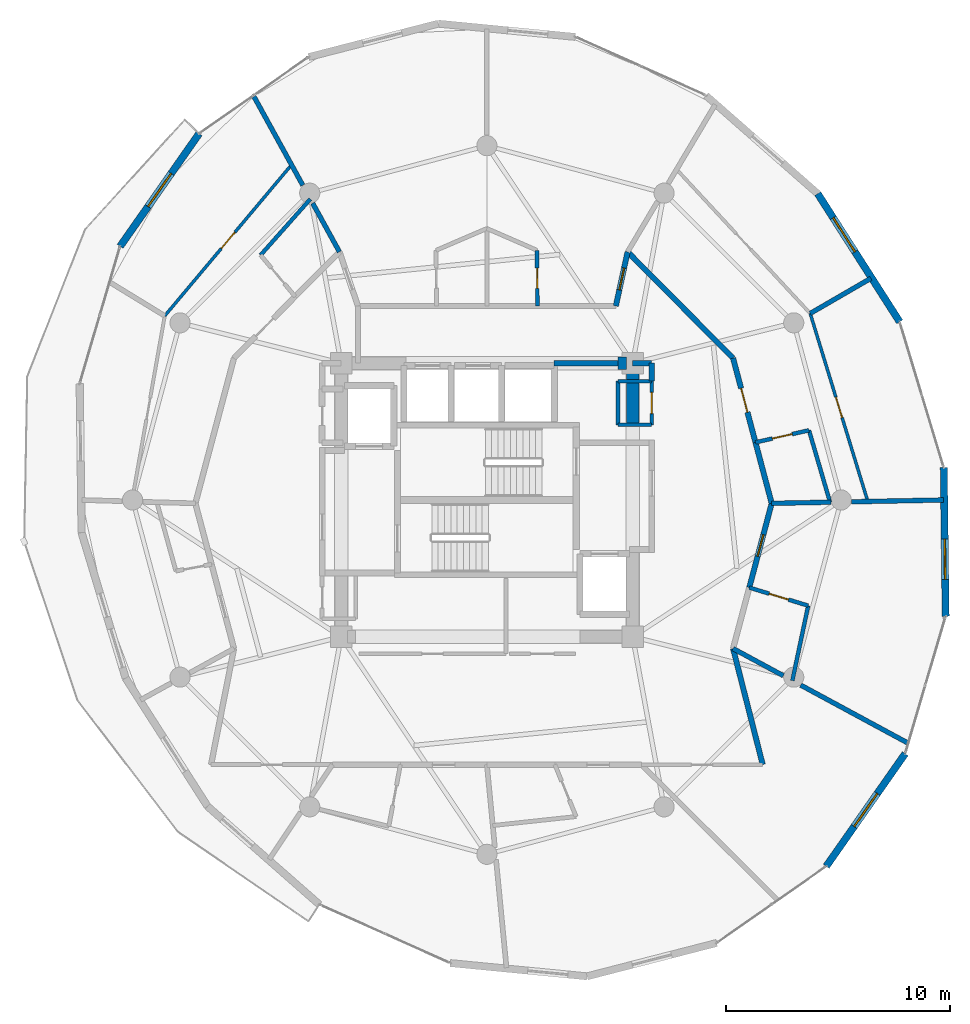
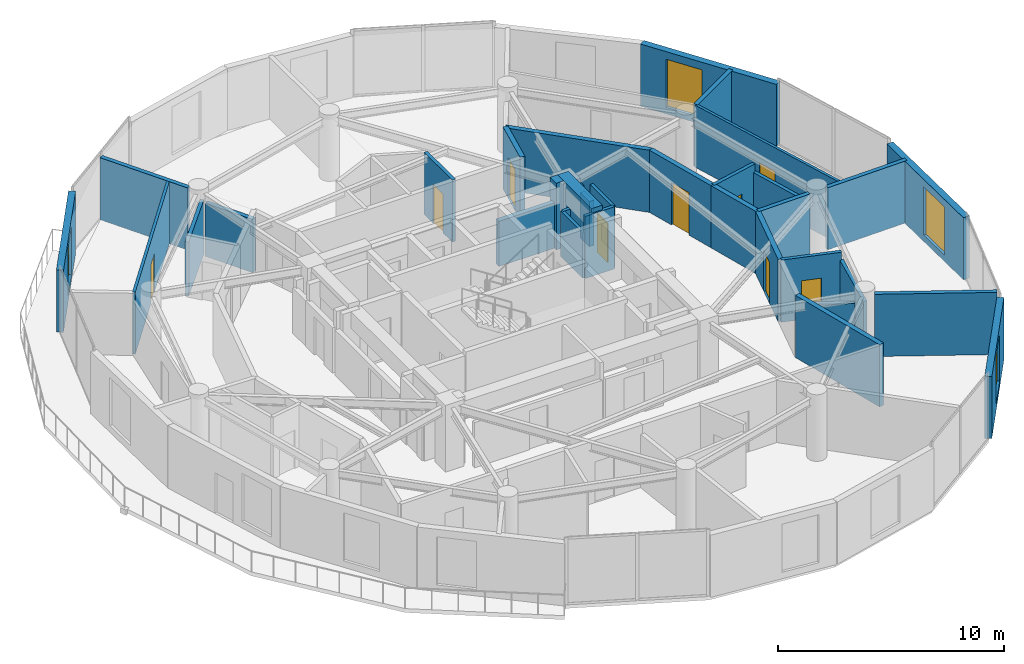
# One storey, part 18 of 21: 34 walls, 9 doors, 4 windows, 13 openings.
"""IFC4 building model written with IfcOpenShell, lengths in metres."""

from ifc_helpers import new_model, si_unit, direction, frame, frame_2d, origin, place, context, subcontext, project, spatial, rectangle, extrude, material, layer, layer_set, type_object, element, fill, save


model = new_model("IFC4")

# Units and contexts
model_context = context("Model", 3, precision=1e-05, world=origin(), true_north=direction((0.0, 1.0)))
body_context = subcontext(model_context, "Body", "Model", "MODEL_VIEW")
ifc_project = project(units=[si_unit("LENGTHUNIT", "METRE"), si_unit("AREAUNIT", "SQUARE_METRE"), si_unit("VOLUMEUNIT", "CUBIC_METRE"), si_unit("PLANEANGLEUNIT", "RADIAN"), si_unit("MASSUNIT", "GRAM", prefix="KILO")], contexts=[model_context])

# Site, building, storey
site_placement = place(None, origin())
site = spatial("IfcSite", under=ifc_project, at=site_placement, CompositionType="ELEMENT")
building_placement = place(site_placement, origin())
building = spatial("IfcBuilding", under=site, at=building_placement, Name="Solvirekh Grand Hotel", CompositionType="ELEMENT")
storey_placement = place(building_placement, frame((0.0, 0.0, 205.60009765625)))
storey = spatial("IfcBuildingStorey", under=building, at=storey_placement, Name="L53", CompositionType="ELEMENT", Elevation=205.60009765625)

# Walls
ifc_material_1 = material(Name="Concrete C50/60", Category="concrete")
ifc_layer_1 = layer(ifc_material_1, 0.550048828125)
ifc_layer_set_1 = layer_set([ifc_layer_1], Name="Concrete C50/60")
wall_type_1 = type_object("IfcWallType", Name="CoreWall_RC550", PredefinedType="SHEAR", material=ifc_layer_set_1)
wall_1_placement = place(storey_placement, frame((5.85009765625, 6.10009765625, 0.0), z_axis=(0.0, 0.0, 1.0), x_axis=(1.0, 0.0, 0.0)))
element("IfcWall", 1, at=wall_1_placement, inside=storey, type_object=wall_type_1, Name="L53 core corner shear wall NE-N", PredefinedType="SHEAR", context=body_context, shape_type="SweptSolid", body=[
    extrude(rectangle(XDim=0.375, YDim=0.550048828125, at=frame_2d((0.1875, 0.0))), origin(), (0.0, 0.0, 1.0), 3.599853515625),
])
wall_2_placement = place(storey_placement, frame((6.5, 3.35009765625, 0.0), z_axis=(0.0, 0.0, 1.0), x_axis=(0.0, 1.0, 0.0)))
element("IfcWall", 2, at=wall_2_placement, inside=storey, type_object=wall_type_1, Name="L53 core corner shear wall EN-E", PredefinedType="SHEAR", context=body_context, shape_type="SweptSolid", body=[
    extrude(rectangle(XDim=3.02490234375, YDim=0.550048828125, at=frame_2d((1.512451171875, 0.0))), origin(), (0.0, 0.0, 1.0), 3.599853515625),
])

# Wall, opening, window
ifc_material_2 = material(Name="Precast concrete C45/55", Category="concrete")
ifc_layer_2 = layer(ifc_material_2, 0.320068359375)
ifc_layer_set_2 = layer_set([ifc_layer_2], Name="Precast concrete C45/55")
wall_type_2 = type_object("IfcWallType", Name="ExtLobbyWall_RC320", PredefinedType="SOLIDWALL", material=ifc_layer_set_2)
wall_3_placement = place(storey_placement, frame((18.653076171875, -11.31298828125, 0.0), z_axis=(0.0, 0.0, 1.0), x_axis=(-0.573863076695, -0.818951261802, 0.0)))
wall_3 = element("IfcWall", 3, at=wall_3_placement, inside=storey, type_object=wall_type_2, Name="L53 exterior structural wall chord 2", PredefinedType="SOLIDWALL", context=body_context, shape_type="SweptSolid", body=[
    extrude(rectangle(XDim=6.132080078125, YDim=0.320068359375, at=frame_2d((3.06591796875, 0.0))), origin(), (0.0, 0.0, 1.0), 3.35986328125),
])
opening_1_placement = place(wall_3_placement, frame((2.166015625, 0.0, 0.35009765625)))
opening_1 = element("IfcOpeningElement", 4, at=opening_1_placement, cuts=wall_3, Name="Opening W02", PredefinedType="OPENING", context=body_context, shape_type="SweptSolid", body=[
    extrude(rectangle(XDim=1.800048828125, YDim=2.60009765625, at=frame_2d((0.89990234375, 1.300048828125))), frame((0.0, 0.169921875, 0.0), z_axis=(0.0, -1.0, 0.0), x_axis=(1.0, 0.0, 0.0)), (0.0, 0.0, 1.0), 0.340087890625),
])
ifc_material_3 = material(Name="Low-E Tinted Bronze Laminated Glass", Category="aluminium")
window_type = type_object("IfcWindowType", Name="Win_LobbyExt_1800X2600", PartitioningType="SINGLE_PANEL", PredefinedType="WINDOW", material=ifc_material_3)
window_1_placement = place(opening_1_placement, origin())
window_1 = element("IfcWindow", 5, at=window_1_placement, inside=storey, type_object=window_type, Name="L53 panoramic bronze-framed window 2", OverallHeight=2.60009765625, OverallWidth=1.800048828125, PartitioningType="SINGLE_PANEL", PredefinedType="WINDOW", context=body_context, shape_type="SweptSolid", body=[
    extrude(rectangle(XDim=1.800048828125, YDim=2.60009765625, at=frame_2d((0.89990234375, 1.300048828125))), frame((0.0, 0.030029296875, 0.0), z_axis=(0.0, -1.0, 0.0), x_axis=(1.0, 0.0, 0.0)), (0.0, 0.0, 1.0), 0.06005859375),
])
fill(opening_1, window_1)

wall_4_placement = place(storey_placement, frame((20.375, 1.450927734375, 0.0), z_axis=(0.0, 0.0, 1.0), x_axis=(0.012654885904, -0.999919923725, 0.0)))
wall_4 = element("IfcWall", 6, at=wall_4_placement, inside=storey, type_object=wall_type_2, Name="L53 exterior structural wall chord 4", PredefinedType="SOLIDWALL", context=body_context, shape_type="SweptSolid", body=[
    extrude(rectangle(XDim=6.636474609375, YDim=0.320068359375, at=frame_2d((3.318359375, 0.0))), origin(), (0.0, 0.0, 1.0), 3.35986328125),
])
opening_2_placement = place(wall_4_placement, frame((3.194091796875, 0.0, 0.35009765625)))
opening_2 = element("IfcOpeningElement", 7, at=opening_2_placement, cuts=wall_4, Name="Opening W02", PredefinedType="OPENING", context=body_context, shape_type="SweptSolid", body=[
    extrude(rectangle(XDim=1.800048828125, YDim=2.60009765625, at=frame_2d((0.89990234375, 1.300048828125))), frame((0.0, 0.169921875, 0.0), z_axis=(0.0, -1.0, 0.0), x_axis=(1.0, 0.0, 0.0)), (0.0, 0.0, 1.0), 0.340087890625),
])
window_2_placement = place(opening_2_placement, origin())
window_2 = element("IfcWindow", 8, at=window_2_placement, inside=storey, type_object=window_type, Name="L53 panoramic bronze-framed window 4", OverallHeight=2.60009765625, OverallWidth=1.800048828125, PartitioningType="SINGLE_PANEL", PredefinedType="WINDOW", context=body_context, shape_type="SweptSolid", body=[
    extrude(rectangle(XDim=1.800048828125, YDim=2.60009765625, at=frame_2d((0.89990234375, 1.300048828125))), frame((0.0, 0.030029296875, 0.0), z_axis=(0.0, -1.0, 0.0), x_axis=(1.0, 0.0, 0.0)), (0.0, 0.0, 1.0), 0.06005859375),
])
fill(opening_2, window_2)

wall_5_placement = place(storey_placement, frame((14.75390625, 13.662109375, 0.0), z_axis=(0.0, 0.0, 1.0), x_axis=(0.538648303683, -0.842530714538, 0.0)))
wall_5 = element("IfcWall", 9, at=wall_5_placement, inside=storey, type_object=wall_type_2, Name="L53 exterior structural wall chord 6", PredefinedType="SOLIDWALL", context=body_context, shape_type="SweptSolid", body=[
    extrude(rectangle(XDim=6.78564453125, YDim=0.320068359375, at=frame_2d((3.392822265625, 0.0))), origin(), (0.0, 0.0, 1.0), 3.35986328125),
])
opening_3_placement = place(wall_5_placement, frame((1.279052734375, 0.0, 0.35009765625)))
opening_3 = element("IfcOpeningElement", 10, at=opening_3_placement, cuts=wall_5, Name="Opening W02", PredefinedType="OPENING", context=body_context, shape_type="SweptSolid", body=[
    extrude(rectangle(XDim=1.800048828125, YDim=2.60009765625, at=frame_2d((0.89990234375, 1.300048828125))), frame((0.0, 0.169921875, 0.0), z_axis=(0.0, -1.0, 0.0), x_axis=(1.0, 0.0, 0.0)), (0.0, 0.0, 1.0), 0.340087890625),
])
window_3_placement = place(opening_3_placement, origin())
window_3 = element("IfcWindow", 11, at=window_3_placement, inside=storey, type_object=window_type, Name="L53 panoramic bronze-framed window 6", OverallHeight=2.60009765625, OverallWidth=1.800048828125, PartitioningType="SINGLE_PANEL", PredefinedType="WINDOW", context=body_context, shape_type="SweptSolid", body=[
    extrude(rectangle(XDim=1.800048828125, YDim=2.60009765625, at=frame_2d((0.89990234375, 1.300048828125))), frame((0.0, 0.030029296875, 0.0), z_axis=(0.0, -1.0, 0.0), x_axis=(1.0, 0.0, 0.0)), (0.0, 0.0, 1.0), 0.06005859375),
])
fill(opening_3, window_3)

wall_6_placement = place(storey_placement, frame((-16.35302734375, 11.31298828125, 0.0), z_axis=(0.0, 0.0, 1.0), x_axis=(0.573863076695, 0.818951261802, 0.0)))
wall_6 = element("IfcWall", 12, at=wall_6_placement, inside=storey, type_object=wall_type_2, Name="L53 exterior structural wall chord 12", PredefinedType="SOLIDWALL", context=body_context, shape_type="SweptSolid", body=[
    extrude(rectangle(XDim=6.132080078125, YDim=0.320068359375, at=frame_2d((3.06591796875, 0.0))), origin(), (0.0, 0.0, 1.0), 3.35986328125),
])
opening_4_placement = place(wall_6_placement, frame((2.166015625, 0.0, 0.35009765625)))
opening_4 = element("IfcOpeningElement", 13, at=opening_4_placement, cuts=wall_6, Name="Opening W02", PredefinedType="OPENING", context=body_context, shape_type="SweptSolid", body=[
    extrude(rectangle(XDim=1.800048828125, YDim=2.60009765625, at=frame_2d((0.89990234375, 1.300048828125))), frame((0.0, 0.169921875, 0.0), z_axis=(0.0, -1.0, 0.0), x_axis=(1.0, 0.0, 0.0)), (0.0, 0.0, 1.0), 0.340087890625),
])
window_4_placement = place(opening_4_placement, origin())
window_4 = element("IfcWindow", 14, at=window_4_placement, inside=storey, type_object=window_type, Name="L53 panoramic bronze-framed window 12", OverallHeight=2.60009765625, OverallWidth=1.800048828125, PartitioningType="SINGLE_PANEL", PredefinedType="WINDOW", context=body_context, shape_type="SweptSolid", body=[
    extrude(rectangle(XDim=1.800048828125, YDim=2.60009765625, at=frame_2d((0.89990234375, 1.300048828125))), frame((0.0, 0.030029296875, 0.0), z_axis=(0.0, -1.0, 0.0), x_axis=(1.0, 0.0, 0.0)), (0.0, 0.0, 1.0), 0.06005859375),
])
fill(opening_4, window_4)

# Wall
ifc_material_4 = material(Name="Acoustic Gypsum Partition Assembly")
ifc_layer_3 = layer(ifc_material_4, 0.1650390625)
ifc_layer_set_3 = layer_set([ifc_layer_3], Name="Acoustic Gypsum Partition Assembly")
wall_type_3 = type_object("IfcWallType", Name="Part_BOH_165", PredefinedType="PARTITIONING", material=ifc_layer_set_3)
wall_7_placement = place(storey_placement, frame((5.85009765625, 3.35009765625, 0.0), z_axis=(0.0, 0.0, 1.0), x_axis=(1.0, 0.0, 0.0)))
element("IfcWall", 15, at=wall_7_placement, inside=storey, type_object=wall_type_3, Name="L53 L53 Core Housekeeping Room wall 1", PredefinedType="PARTITIONING", context=body_context, shape_type="SweptSolid", body=[
    extrude(rectangle(XDim=1.5, YDim=0.1650390625, at=frame_2d((0.75, 0.0))), origin(), (0.0, 0.0, 1.0), 3.35986328125),
])

# Wall, opening, door
wall_8_placement = place(storey_placement, frame((7.35009765625, 3.35009765625, 0.0), z_axis=(0.0, 0.0, 1.0), x_axis=(0.0, 1.0, 0.0)))
wall_8 = element("IfcWall", 16, at=wall_8_placement, inside=storey, type_object=wall_type_3, Name="L53 L53 Core Housekeeping Room wall 2", PredefinedType="PARTITIONING", context=body_context, shape_type="SweptSolid", body=[
    extrude(rectangle(XDim=1.949951171875, YDim=0.1650390625, at=frame_2d((0.97509765625, 0.0))), origin(), (0.0, 0.0, 1.0), 3.35986328125),
])
opening_5_placement = place(wall_8_placement, frame((0.5, 0.0, 0.0)))
opening_5 = element("IfcOpeningElement", 17, at=opening_5_placement, cuts=wall_8, Name="Opening D10", PredefinedType="OPENING", context=body_context, shape_type="SweptSolid", body=[
    extrude(rectangle(XDim=0.949951171875, YDim=2.10009765625, at=frame_2d((0.47509765625, 1.050048828125))), frame((0.0, 0.092529296875, 0.0), z_axis=(0.0, -1.0, 0.0), x_axis=(1.0, 0.0, 0.0)), (0.0, 0.0, 1.0), 0.18505859375),
])
ifc_material_5 = material(Name="Anodized Bronze Aluminium 6063-T6", Category="aluminium")
door_type_1 = type_object("IfcDoorType", Name="Door_RoomInt_950X2100", OperationType="NOTDEFINED", PredefinedType="DOOR", material=ifc_material_5)
door_1_placement = place(opening_5_placement, origin())
door_1 = element("IfcDoor", 18, at=door_1_placement, inside=storey, type_object=door_type_1, Name="L53 L53 Core Housekeeping Room door", OperationType="SINGLE_SWING_RIGHT", OverallHeight=2.10009765625, OverallWidth=0.949951171875, PredefinedType="DOOR", context=body_context, shape_type="SweptSolid", body=[
    extrude(rectangle(XDim=0.949951171875, YDim=2.10009765625, at=frame_2d((0.47509765625, 1.050048828125))), frame((0.0, 0.02490234375, 0.0), z_axis=(0.0, -1.0, 0.0), x_axis=(1.0, 0.0, 0.0)), (0.0, 0.0, 1.0), 0.050048828125),
])
fill(opening_5, door_1)

# Walls
wall_9_placement = place(storey_placement, frame((7.35009765625, 5.300048828125, 0.0), z_axis=(0.0, 0.0, 1.0), x_axis=(-1.0, 0.0, 0.0)))
element("IfcWall", 19, at=wall_9_placement, inside=storey, type_object=wall_type_3, Name="L53 L53 Core Housekeeping Room wall 3", PredefinedType="PARTITIONING", context=body_context, shape_type="SweptSolid", body=[
    extrude(rectangle(XDim=1.5, YDim=0.1650390625, at=frame_2d((0.75, 0.0))), origin(), (0.0, 0.0, 1.0), 2.44482421875),
])
wall_10_placement = place(storey_placement, frame((5.85009765625, 5.300048828125, 0.0), z_axis=(0.0, 0.0, 1.0), x_axis=(0.0, -1.0, 0.0)))
element("IfcWall", 20, at=wall_10_placement, inside=storey, type_object=wall_type_3, Name="L53 L53 Core Housekeeping Room wall 4", PredefinedType="PARTITIONING", context=body_context, shape_type="SweptSolid", body=[
    extrude(rectangle(XDim=1.949951171875, YDim=0.1650390625, at=frame_2d((0.97509765625, 0.0))), origin(), (0.0, 0.0, 1.0), 2.44482421875),
])
ifc_layer_4 = layer(ifc_material_4, 0.239990234375)
ifc_layer_set_4 = layer_set([ifc_layer_4], Name="Acoustic Gypsum Partition Assembly")
wall_type_4 = type_object("IfcWallType", Name="Part_Corridor_240", PredefinedType="PARTITIONING", material=ifc_layer_set_4)
wall_11_placement = place(storey_placement, frame((3.0, 6.10009765625, 0.0), z_axis=(0.0, 0.0, 1.0), x_axis=(1.0, 0.0, 0.0)))
element("IfcWall", 21, at=wall_11_placement, inside=storey, type_object=wall_type_4, Name="L53 north core shaft infill wall", PredefinedType="PARTITIONING", context=body_context, shape_type="SweptSolid", body=[
    extrude(rectangle(XDim=2.85009765625, YDim=0.239990234375, at=frame_2d((1.425048828125, 0.0))), origin(), (0.0, 0.0, 1.0), 2.44482421875),
])
wall_12_placement = place(storey_placement, frame((7.35009765625, 5.300048828125, 0.0), z_axis=(0.0, 0.0, 1.0), x_axis=(0.0, 1.0, 0.0)))
element("IfcWall", 22, at=wall_12_placement, inside=storey, type_object=wall_type_4, Name="L53 NE core cheek closure wall", PredefinedType="PARTITIONING", context=body_context, shape_type="SweptSolid", body=[
    extrude(rectangle(XDim=0.800048828125, YDim=0.239990234375, at=frame_2d((0.39990234375, 0.0))), origin(), (0.0, 0.0, 1.0), 2.44482421875),
])
wall_13_placement = place(storey_placement, frame((6.5, 6.10009765625, 0.0), z_axis=(0.0, 0.0, 1.0), x_axis=(1.0, 0.0, 0.0)))
element("IfcWall", 23, at=wall_13_placement, inside=storey, type_object=wall_type_4, Name="L53 NE core corner tie wall", PredefinedType="PARTITIONING", context=body_context, shape_type="SweptSolid", body=[
    extrude(rectangle(XDim=0.85009765625, YDim=0.239990234375, at=frame_2d((0.425048828125, 0.0))), origin(), (0.0, 0.0, 1.0), 2.876953125),
])

# Wall, opening, door
wall_14_placement = place(storey_placement, frame((5.75, 8.64990234375, 0.0), z_axis=(0.0, 0.0, 1.0), x_axis=(0.212388632151, 0.977185278713, 0.0)))
wall_14 = element("IfcWall", 24, at=wall_14_placement, inside=storey, type_object=wall_type_4, Name="L53 Deluxe Guestroom 5501 entrance wall", PredefinedType="PARTITIONING", context=body_context, shape_type="SweptSolid", body=[
    extrude(rectangle(XDim=2.471435546875, YDim=0.239990234375, at=frame_2d((1.23583984375, 0.0))), origin(), (0.0, 0.0, 1.0), 3.35986328125),
])
opening_6_placement = place(wall_14_placement, frame((0.736083984375, 0.0, 0.0)))
opening_6 = element("IfcOpeningElement", 25, at=opening_6_placement, cuts=wall_14, Name="Opening D07", PredefinedType="OPENING", context=body_context, shape_type="SweptSolid", body=[
    extrude(rectangle(XDim=1.0, YDim=2.199951171875, at=frame_2d((0.5, 1.10009765625))), frame((0.0, 0.1298828125, 0.0), z_axis=(0.0, -1.0, 0.0), x_axis=(1.0, 0.0, 0.0)), (0.0, 0.0, 1.0), 0.260009765625),
])
ifc_material_6 = material(Name="Fire-Rated Steel Door Assembly", Category="steel")
door_type_2 = type_object("IfcDoorType", Name="Door_GuestEntry_1000X2200", OperationType="NOTDEFINED", PredefinedType="DOOR", material=ifc_material_6)
door_2_placement = place(opening_6_placement, origin())
door_2 = element("IfcDoor", 26, at=door_2_placement, inside=storey, type_object=door_type_2, Name="L53 Deluxe Guestroom 5501 entrance door", OperationType="SINGLE_SWING_RIGHT", OverallHeight=2.199951171875, OverallWidth=1.0, PredefinedType="DOOR", context=body_context, shape_type="SweptSolid", body=[
    extrude(rectangle(XDim=1.0, YDim=2.199951171875, at=frame_2d((0.5, 1.10009765625))), frame((0.0, 0.02490234375, 0.0), z_axis=(0.0, -1.0, 0.0), x_axis=(1.0, 0.0, 0.0)), (0.0, 0.0, 1.0), 0.050048828125),
])
fill(opening_6, door_2)

wall_15_placement = place(storey_placement, frame((11.700927734375, -3.906005859375, 0.0), z_axis=(0.0, 0.0, 1.0), x_axis=(0.257037057674, 0.966401547486, 0.0)))
wall_15 = element("IfcWall", 27, at=wall_15_placement, inside=storey, type_object=wall_type_4, Name="L53 Deluxe Guestroom 5505 entrance wall", PredefinedType="PARTITIONING", context=body_context, shape_type="SweptSolid", body=[
    extrude(rectangle(XDim=3.88671875, YDim=0.239990234375, at=frame_2d((1.943359375, 0.0))), origin(), (0.0, 0.0, 1.0), 3.35986328125),
])
opening_7_placement = place(wall_15_placement, frame((1.443115234375, 0.0, 0.0)))
opening_7 = element("IfcOpeningElement", 28, at=opening_7_placement, cuts=wall_15, Name="Opening D07", PredefinedType="OPENING", context=body_context, shape_type="SweptSolid", body=[
    extrude(rectangle(XDim=1.0, YDim=2.199951171875, at=frame_2d((0.5, 1.10009765625))), frame((0.0, 0.1298828125, 0.0), z_axis=(0.0, -1.0, 0.0), x_axis=(1.0, 0.0, 0.0)), (0.0, 0.0, 1.0), 0.260009765625),
])
door_3_placement = place(opening_7_placement, origin())
door_3 = element("IfcDoor", 29, at=door_3_placement, inside=storey, type_object=door_type_2, Name="L53 Deluxe Guestroom 5505 entrance door", OperationType="SINGLE_SWING_RIGHT", OverallHeight=2.199951171875, OverallWidth=1.0, PredefinedType="DOOR", context=body_context, shape_type="SweptSolid", body=[
    extrude(rectangle(XDim=1.0, YDim=2.199951171875, at=frame_2d((0.5, 1.10009765625))), frame((0.0, 0.02490234375, 0.0), z_axis=(0.0, -1.0, 0.0), x_axis=(1.0, 0.0, 0.0)), (0.0, 0.0, 1.0), 0.050048828125),
])
fill(opening_7, door_3)

# Walls
wall_16_placement = place(storey_placement, frame((12.699951171875, -0.14990234375, 0.0), z_axis=(0.0, 0.0, 1.0), x_axis=(-0.256858081143, 0.966449132729, 0.0)))
element("IfcWall", 30, at=wall_16_placement, inside=storey, type_object=wall_type_4, Name="L53 En-suite Bathroom 5506 corridor backing wall", PredefinedType="PARTITIONING", context=body_context, shape_type="SweptSolid", body=[
    extrude(rectangle(XDim=2.814453125, YDim=0.239990234375, at=frame_2d((1.4072265625, 0.0))), origin(), (0.0, 0.0, 1.0), 3.35986328125),
])
wall_17_placement = place(storey_placement, frame((10.97802734375, 6.324951171875, 0.0), z_axis=(0.0, 0.0, 1.0), x_axis=(-0.704340920508, 0.709861865223, 0.0)))
element("IfcWall", 31, at=wall_17_placement, inside=storey, type_object=wall_type_4, Name="L53 Executive Suite 5506 Living Room corridor wall 1", PredefinedType="PARTITIONING", context=body_context, shape_type="SweptSolid", body=[
    extrude(rectangle(XDim=6.67724609375, YDim=0.239990234375, at=frame_2d((3.338623046875, 0.0))), origin(), (0.0, 0.0, 1.0), 3.35986328125),
])

# Wall, opening, door
wall_18_placement = place(storey_placement, frame((11.97705078125, 2.570068359375, 0.0), z_axis=(0.0, 0.0, 1.0), x_axis=(-0.257115096486, 0.966380787867, 0.0)))
wall_18 = element("IfcWall", 32, at=wall_18_placement, inside=storey, type_object=wall_type_4, Name="L53 Executive Suite 5506 Living Room entrance wall", PredefinedType="PARTITIONING", context=body_context, shape_type="SweptSolid", body=[
    extrude(rectangle(XDim=3.885498046875, YDim=0.239990234375, at=frame_2d((1.94287109375, 0.0))), origin(), (0.0, 0.0, 1.0), 3.35986328125),
])
opening_8_placement = place(wall_18_placement, frame((1.39306640625, 0.0, 0.0)))
opening_8 = element("IfcOpeningElement", 33, at=opening_8_placement, cuts=wall_18, Name="Opening D08", PredefinedType="OPENING", context=body_context, shape_type="SweptSolid", body=[
    extrude(rectangle(XDim=1.10009765625, YDim=2.300048828125, at=frame_2d((0.550048828125, 1.14990234375))), frame((0.0, 0.1298828125, 0.0), z_axis=(0.0, -1.0, 0.0), x_axis=(1.0, 0.0, 0.0)), (0.0, 0.0, 1.0), 0.260009765625),
])
door_type_3 = type_object("IfcDoorType", Name="Door_SuiteEntry_1100X2300", OperationType="NOTDEFINED", PredefinedType="DOOR", material=ifc_material_6)
door_4_placement = place(opening_8_placement, origin())
door_4 = element("IfcDoor", 34, at=door_4_placement, inside=storey, type_object=door_type_3, Name="L53 Executive Suite 5506 Living Room entrance door", OperationType="SINGLE_SWING_RIGHT", OverallHeight=2.300048828125, OverallWidth=1.10009765625, PredefinedType="DOOR", context=body_context, shape_type="SweptSolid", body=[
    extrude(rectangle(XDim=1.10009765625, YDim=2.300048828125, at=frame_2d((0.550048828125, 1.14990234375))), frame((0.0, 0.02490234375, 0.0), z_axis=(0.0, -1.0, 0.0), x_axis=(1.0, 0.0, 0.0)), (0.0, 0.0, 1.0), 0.050048828125),
])
fill(opening_8, door_4)

# Wall
wall_19_placement = place(storey_placement, frame((12.300048828125, -11.800048828125, 0.0), z_axis=(0.0, 0.0, 1.0), x_axis=(-0.247511976945, 0.968884833852, 0.0)))
element("IfcWall", 35, at=wall_19_placement, inside=storey, type_object=wall_type_4, Name="L53 L53 Butler Valet & Linen Steward Room corridor wall 1", PredefinedType="PARTITIONING", context=body_context, shape_type="SweptSolid", body=[
    extrude(rectangle(XDim=5.34130859375, YDim=0.239990234375, at=frame_2d((2.670654296875, 0.0))), origin(), (0.0, 0.0, 1.0), 3.35986328125),
])

# Wall, opening, door
ifc_layer_5 = layer(ifc_material_4, 0.135009765625)
ifc_layer_set_5 = layer_set([ifc_layer_5], Name="Acoustic Gypsum Partition Assembly")
wall_type_5 = type_object("IfcWallType", Name="Part_RoomInt_135", PredefinedType="PARTITIONING", material=ifc_layer_set_5)
wall_20_placement = place(storey_placement, frame((-8.7119140625, 14.947021484375, 0.0), z_axis=(0.0, 0.0, 1.0), x_axis=(-0.642897719882, -0.765952036208, 0.0)))
wall_20 = element("IfcWall", 36, at=wall_20_placement, inside=storey, type_object=wall_type_5, Name="L53 Executive Suite 5503 Living Room bedroom screen wall", PredefinedType="PARTITIONING", context=body_context, shape_type="SweptSolid", body=[
    extrude(rectangle(XDim=8.793212890625, YDim=0.135009765625, at=frame_2d((4.396484375, 0.0))), origin(), (0.0, 0.0, 1.0), 3.35986328125),
])
opening_9_placement = place(wall_20_placement, frame((3.9208984375, 0.0, 0.0)))
opening_9 = element("IfcOpeningElement", 37, at=opening_9_placement, cuts=wall_20, Name="Opening D10", PredefinedType="OPENING", context=body_context, shape_type="SweptSolid", body=[
    extrude(rectangle(XDim=0.949951171875, YDim=2.10009765625, at=frame_2d((0.47509765625, 1.050048828125))), frame((0.0, 0.07763671875, 0.0), z_axis=(0.0, -1.0, 0.0), x_axis=(1.0, 0.0, 0.0)), (0.0, 0.0, 1.0), 0.155029296875),
])
door_5_placement = place(opening_9_placement, origin())
door_5 = element("IfcDoor", 38, at=door_5_placement, inside=storey, type_object=door_type_1, Name="L53 Executive Suite 5503 Living Room master bedroom door", OperationType="SINGLE_SWING_LEFT", OverallHeight=2.10009765625, OverallWidth=0.949951171875, PredefinedType="DOOR", context=body_context, shape_type="SweptSolid", body=[
    extrude(rectangle(XDim=0.949951171875, YDim=2.10009765625, at=frame_2d((0.47509765625, 1.050048828125))), frame((0.0, 0.02490234375, 0.0), z_axis=(0.0, -1.0, 0.0), x_axis=(1.0, 0.0, 0.0)), (0.0, 0.0, 1.0), 0.050048828125),
])
fill(opening_9, door_5)

wall_21_placement = place(storey_placement, frame((16.986083984375, -0.06591796875, 0.0), z_axis=(0.0, 0.0, 1.0), x_axis=(-0.292847255907, 0.956159236062, 0.0)))
wall_21 = element("IfcWall", 39, at=wall_21_placement, inside=storey, type_object=wall_type_5, Name="L53 Executive Suite 5506 Living Room bedroom screen wall", PredefinedType="PARTITIONING", context=body_context, shape_type="SweptSolid", body=[
    extrude(rectangle(XDim=8.76953125, YDim=0.135009765625, at=frame_2d((4.384765625, 0.0))), origin(), (0.0, 0.0, 1.0), 3.35986328125),
])
opening_10_placement = place(wall_21_placement, frame((3.909912109375, 0.0, 0.0)))
opening_10 = element("IfcOpeningElement", 40, at=opening_10_placement, cuts=wall_21, Name="Opening D10", PredefinedType="OPENING", context=body_context, shape_type="SweptSolid", body=[
    extrude(rectangle(XDim=0.949951171875, YDim=2.10009765625, at=frame_2d((0.47509765625, 1.050048828125))), frame((0.0, 0.07763671875, 0.0), z_axis=(0.0, -1.0, 0.0), x_axis=(1.0, 0.0, 0.0)), (0.0, 0.0, 1.0), 0.155029296875),
])
door_6_placement = place(opening_10_placement, origin())
door_6 = element("IfcDoor", 41, at=door_6_placement, inside=storey, type_object=door_type_1, Name="L53 Executive Suite 5506 Living Room master bedroom door", OperationType="SINGLE_SWING_LEFT", OverallHeight=2.10009765625, OverallWidth=0.949951171875, PredefinedType="DOOR", context=body_context, shape_type="SweptSolid", body=[
    extrude(rectangle(XDim=0.949951171875, YDim=2.10009765625, at=frame_2d((0.47509765625, 1.050048828125))), frame((0.0, 0.02490234375, 0.0), z_axis=(0.0, -1.0, 0.0), x_axis=(1.0, 0.0, 0.0)), (0.0, 0.0, 1.0), 0.050048828125),
])
fill(opening_10, door_6)

# Walls
ifc_layer_6 = layer(ifc_material_4, 0.2099609375)
ifc_layer_set_6 = layer_set([ifc_layer_6], Name="Acoustic Gypsum Partition Assembly")
wall_type_6 = type_object("IfcWallType", Name="Part_SuiteDemise_210", PredefinedType="PARTITIONING", material=ifc_layer_set_6)
wall_22_placement = place(storey_placement, frame((12.699951171875, -0.14990234375, 0.0), z_axis=(0.0, 0.0, 1.0), x_axis=(0.999806076636, 0.019692869828, 0.0)))
element("IfcWall", 42, at=wall_22_placement, inside=storey, type_object=wall_type_6, Name="L53 suite radial wall 1 (A)", PredefinedType="PARTITIONING", context=body_context, shape_type="SweptSolid", body=[
    extrude(rectangle(XDim=2.640625, YDim=0.2099609375, at=frame_2d((1.3203125, 0.0))), origin(), (0.0, 0.0, 1.0), 3.35986328125),
])
wall_23_placement = place(storey_placement, frame((16.262939453125, -0.080078125, 0.0), z_axis=(0.0, 0.0, 1.0), x_axis=(0.999808394628, 0.019574831579, 0.0)))
element("IfcWall", 43, at=wall_23_placement, inside=storey, type_object=wall_type_6, Name="L53 suite radial wall 1 (B)", PredefinedType="PARTITIONING", context=body_context, shape_type="SweptSolid", body=[
    extrude(rectangle(XDim=4.0908203125, YDim=0.2099609375, at=frame_2d((2.04541015625, 0.0))), origin(), (0.0, 0.0, 1.0), 3.35986328125),
])
wall_24_placement = place(storey_placement, frame((-6.574951171875, 11.06494140625, 0.0), z_axis=(0.0, 0.0, 1.0), x_axis=(-0.482312715348, 0.875999112222, 0.0)))
element("IfcWall", 44, at=wall_24_placement, inside=storey, type_object=wall_type_6, Name="L53 suite radial wall 5 (A)", PredefinedType="PARTITIONING", context=body_context, shape_type="SweptSolid", body=[
    extrude(rectangle(XDim=2.4736328125, YDim=0.2099609375, at=frame_2d((1.23681640625, 0.0))), origin(), (0.0, 0.0, 1.0), 2.876953125),
])
wall_25_placement = place(storey_placement, frame((-8.2099609375, 14.035888671875, 0.0), z_axis=(0.0, 0.0, 1.0), x_axis=(-0.482343563711, 0.875982126842, 0.0)))
element("IfcWall", 45, at=wall_25_placement, inside=storey, type_object=wall_type_6, Name="L53 suite radial wall 5 (B)", PredefinedType="PARTITIONING", context=body_context, shape_type="SweptSolid", body=[
    extrude(rectangle(XDim=4.52197265625, YDim=0.2099609375, at=frame_2d((2.260986328125, 0.0))), origin(), (0.0, 0.0, 1.0), 3.35986328125),
])
wall_26_placement = place(storey_placement, frame((10.97802734375, -6.625, 0.0), z_axis=(0.0, 0.0, 1.0), x_axis=(0.879758566632, -0.47542072361, 0.0)))
element("IfcWall", 46, at=wall_26_placement, inside=storey, type_object=wall_type_6, Name="L53 suite radial wall 12 (A)", PredefinedType="PARTITIONING", context=body_context, shape_type="SweptSolid", body=[
    extrude(rectangle(XDim=2.544921875, YDim=0.2099609375, at=frame_2d((1.2724609375, 0.0))), origin(), (0.0, 0.0, 1.0), 2.876953125),
])
wall_27_placement = place(storey_placement, frame((13.991943359375, -8.25390625, 0.0), z_axis=(0.0, 0.0, 1.0), x_axis=(0.879751884647, -0.47543308831, 0.0)))
element("IfcWall", 47, at=wall_27_placement, inside=storey, type_object=wall_type_6, Name="L53 suite radial wall 12 (B)", PredefinedType="PARTITIONING", context=body_context, shape_type="SweptSolid", body=[
    extrude(rectangle(XDim=5.4140625, YDim=0.2099609375, at=frame_2d((2.70703125, 0.0))), origin(), (0.0, 0.0, 1.0), 3.35986328125),
])
wall_28_placement = place(storey_placement, frame((14.41796875, 8.319091796875, 0.0), z_axis=(0.0, 0.0, 1.0), x_axis=(0.86529427333, 0.501264222285, 0.0)))
element("IfcWall", 48, at=wall_28_placement, inside=storey, type_object=wall_type_6, Name="L53 Executive Suite 5506 Living Room dividing partition 1", PredefinedType="PARTITIONING", context=body_context, shape_type="SweptSolid", body=[
    extrude(rectangle(XDim=3.1240234375, YDim=0.2099609375, at=frame_2d((1.56201171875, 0.0))), origin(), (0.0, 0.0, 1.0), 3.35986328125),
])

# Wall, opening, door
ifc_layer_7 = layer(ifc_material_4, 0.175048828125)
ifc_layer_set_7 = layer_set([ifc_layer_7], Name="Acoustic Gypsum Partition Assembly")
wall_type_7 = type_object("IfcWallType", Name="Plumb_Ensuite_175", PredefinedType="PLUMBINGWALL", material=ifc_layer_set_7)
wall_29_placement = place(storey_placement, frame((2.25, 8.64990234375, 0.0), z_axis=(0.0, 0.0, 1.0), x_axis=(-0.005994978263, 0.999982029956, 0.0)))
wall_29 = element("IfcWall", 49, at=wall_29_placement, inside=storey, type_object=wall_type_7, Name="L53 En-suite Bathroom 5501 entry plumbing wall", PredefinedType="PLUMBINGWALL", context=body_context, shape_type="SweptSolid", body=[
    extrude(rectangle(XDim=2.484130859375, YDim=0.175048828125, at=frame_2d((1.2421875, 0.0))), origin(), (0.0, 0.0, 1.0), 3.35986328125),
])
opening_11_placement = place(wall_29_placement, frame((0.7919921875, 0.0, 0.0)))
opening_11 = element("IfcOpeningElement", 50, at=opening_11_placement, cuts=wall_29, Name="Opening D09", PredefinedType="OPENING", context=body_context, shape_type="SweptSolid", body=[
    extrude(rectangle(XDim=0.89990234375, YDim=2.10009765625, at=frame_2d((0.449951171875, 1.050048828125))), frame((0.0, 0.09765625, 0.0), z_axis=(0.0, -1.0, 0.0), x_axis=(1.0, 0.0, 0.0)), (0.0, 0.0, 1.0), 0.195068359375),
])
door_type_4 = type_object("IfcDoorType", Name="Door_Ensuite_900X2100", OperationType="NOTDEFINED", PredefinedType="DOOR", material=ifc_material_5)
door_7_placement = place(opening_11_placement, origin())
door_7 = element("IfcDoor", 51, at=door_7_placement, inside=storey, type_object=door_type_4, Name="L53 En-suite Bathroom 5501 door", OperationType="SINGLE_SWING_LEFT", OverallHeight=2.10009765625, OverallWidth=0.89990234375, PredefinedType="DOOR", context=body_context, shape_type="SweptSolid", body=[
    extrude(rectangle(XDim=0.89990234375, YDim=2.10009765625, at=frame_2d((0.449951171875, 1.050048828125))), frame((0.0, 0.02490234375, 0.0), z_axis=(0.0, -1.0, 0.0), x_axis=(1.0, 0.0, 0.0)), (0.0, 0.0, 1.0), 0.050048828125),
])
fill(opening_11, door_7)

# Walls
wall_30_placement = place(storey_placement, frame((-7.8720703125, 13.422119140625, 0.0), z_axis=(0.0, 0.0, 1.0), x_axis=(-0.663660752153, -0.748033693126, 0.0)))
element("IfcWall", 52, at=wall_30_placement, inside=storey, type_object=wall_type_7, Name="L53 En-suite Bathroom 5503 outer plumbing wall", PredefinedType="PLUMBINGWALL", context=body_context, shape_type="SweptSolid", body=[
    extrude(rectangle(XDim=3.342041015625, YDim=0.175048828125, at=frame_2d((1.6708984375, 0.0))), origin(), (0.0, 0.0, 1.0), 2.928955078125),
])
wall_31_placement = place(storey_placement, frame((13.6220703125, -8.053955078125, 0.0), z_axis=(0.0, 0.0, 1.0), x_axis=(0.206691433245, 0.978406179162, 0.0)))
element("IfcWall", 53, at=wall_31_placement, inside=storey, type_object=wall_type_7, Name="L53 En-suite Bathroom 5505 outer plumbing wall", PredefinedType="PLUMBINGWALL", context=body_context, shape_type="SweptSolid", body=[
    extrude(rectangle(XDim=3.414794921875, YDim=0.175048828125, at=frame_2d((1.70751953125, 0.0))), origin(), (0.0, 0.0, 1.0), 2.928955078125),
])

# Wall, opening, door
wall_32_placement = place(storey_placement, frame((11.700927734375, -3.906005859375, 0.0), z_axis=(0.0, 0.0, 1.0), x_axis=(0.955922959591, -0.293617600506, 0.0)))
wall_32 = element("IfcWall", 54, at=wall_32_placement, inside=storey, type_object=wall_type_7, Name="L53 En-suite Bathroom 5505 entry plumbing wall", PredefinedType="PLUMBINGWALL", context=body_context, shape_type="SweptSolid", body=[
    extrude(rectangle(XDim=2.748046875, YDim=0.175048828125, at=frame_2d((1.3740234375, 0.0))), origin(), (0.0, 0.0, 1.0), 3.35986328125),
])
opening_12_placement = place(wall_32_placement, frame((0.924072265625, 0.0, 0.0)))
opening_12 = element("IfcOpeningElement", 55, at=opening_12_placement, cuts=wall_32, Name="Opening D09", PredefinedType="OPENING", context=body_context, shape_type="SweptSolid", body=[
    extrude(rectangle(XDim=0.89990234375, YDim=2.10009765625, at=frame_2d((0.449951171875, 1.050048828125))), frame((0.0, 0.09765625, 0.0), z_axis=(0.0, -1.0, 0.0), x_axis=(1.0, 0.0, 0.0)), (0.0, 0.0, 1.0), 0.195068359375),
])
door_8_placement = place(opening_12_placement, origin())
door_8 = element("IfcDoor", 56, at=door_8_placement, inside=storey, type_object=door_type_4, Name="L53 En-suite Bathroom 5505 door", OperationType="SINGLE_SWING_LEFT", OverallHeight=2.10009765625, OverallWidth=0.89990234375, PredefinedType="DOOR", context=body_context, shape_type="SweptSolid", body=[
    extrude(rectangle(XDim=0.89990234375, YDim=2.10009765625, at=frame_2d((0.449951171875, 1.050048828125))), frame((0.0, 0.02490234375, 0.0), z_axis=(0.0, -1.0, 0.0), x_axis=(1.0, 0.0, 0.0)), (0.0, 0.0, 1.0), 0.050048828125),
])
fill(opening_12, door_8)

# Wall
wall_33_placement = place(storey_placement, frame((15.302001953125, -0.09912109375, 0.0), z_axis=(0.0, 0.0, 1.0), x_axis=(-0.280987384428, 0.959711461739, 0.0)))
element("IfcWall", 57, at=wall_33_placement, inside=storey, type_object=wall_type_7, Name="L53 En-suite Bathroom 5506 outer plumbing wall", PredefinedType="PLUMBINGWALL", context=body_context, shape_type="SweptSolid", body=[
    extrude(rectangle(XDim=3.341552734375, YDim=0.175048828125, at=frame_2d((1.6708984375, 0.0))), origin(), (0.0, 0.0, 1.0), 2.928955078125),
])

# Wall, opening, door
wall_34_placement = place(storey_placement, frame((11.97705078125, 2.570068359375, 0.0), z_axis=(0.0, 0.0, 1.0), x_axis=(0.975522568514, 0.219899336789, 0.0)))
wall_34 = element("IfcWall", 58, at=wall_34_placement, inside=storey, type_object=wall_type_7, Name="L53 En-suite Bathroom 5506 entry plumbing wall", PredefinedType="PLUMBINGWALL", context=body_context, shape_type="SweptSolid", body=[
    extrude(rectangle(XDim=2.44580078125, YDim=0.175048828125, at=frame_2d((1.222900390625, 0.0))), origin(), (0.0, 0.0, 1.0), 3.35986328125),
])
opening_13_placement = place(wall_34_placement, frame((0.77294921875, 0.0, 0.0)))
opening_13 = element("IfcOpeningElement", 59, at=opening_13_placement, cuts=wall_34, Name="Opening D09", PredefinedType="OPENING", context=body_context, shape_type="SweptSolid", body=[
    extrude(rectangle(XDim=0.89990234375, YDim=2.10009765625, at=frame_2d((0.449951171875, 1.050048828125))), frame((0.0, 0.09765625, 0.0), z_axis=(0.0, -1.0, 0.0), x_axis=(1.0, 0.0, 0.0)), (0.0, 0.0, 1.0), 0.195068359375),
])
door_9_placement = place(opening_13_placement, origin())
door_9 = element("IfcDoor", 60, at=door_9_placement, inside=storey, type_object=door_type_4, Name="L53 En-suite Bathroom 5506 door", OperationType="SINGLE_SWING_LEFT", OverallHeight=2.10009765625, OverallWidth=0.89990234375, PredefinedType="DOOR", context=body_context, shape_type="SweptSolid", body=[
    extrude(rectangle(XDim=0.89990234375, YDim=2.10009765625, at=frame_2d((0.449951171875, 1.050048828125))), frame((0.0, 0.02490234375, 0.0), z_axis=(0.0, -1.0, 0.0), x_axis=(1.0, 0.0, 0.0)), (0.0, 0.0, 1.0), 0.050048828125),
])
fill(opening_13, door_9)

save(model, "model.ifc")
